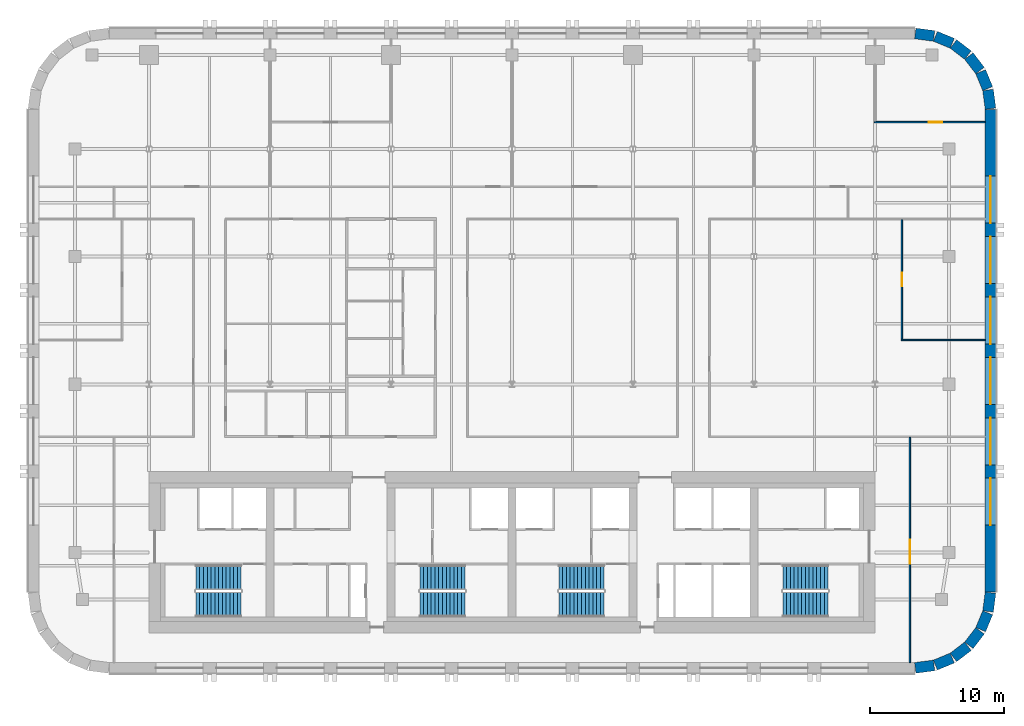
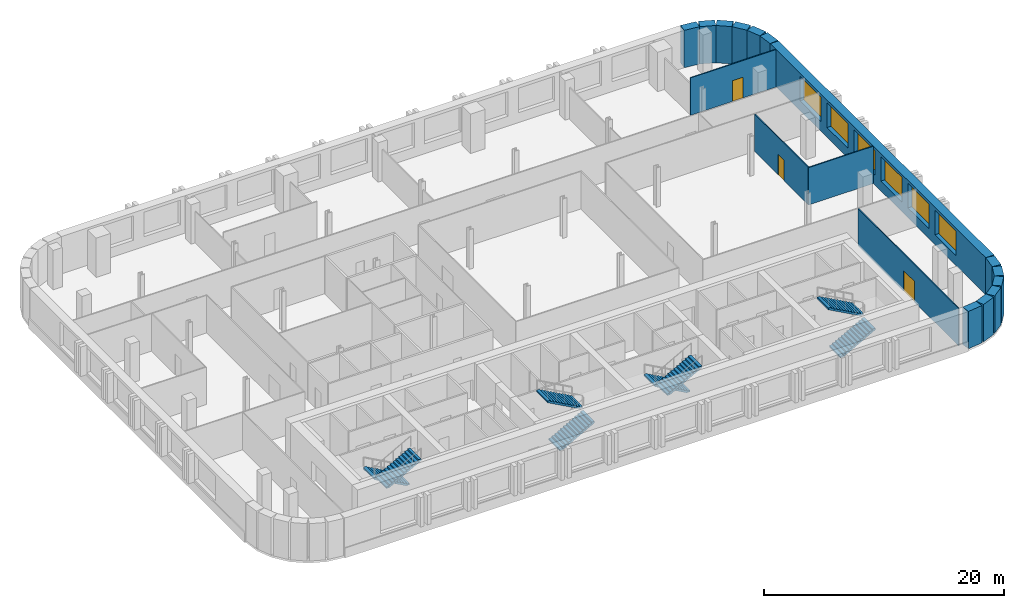
# One storey, part 8 of 10: 17 walls, 8 stair flights, 6 windows, 3 doors, 9 openings, 4 elements without a shape of their own.
"""IFC4 building model written with IfcOpenShell, lengths in metres."""

from ifc_helpers import new_model, si_unit, direction, frame, frame_2d, origin, place, context, subcontext, project, spatial, polyline, rectangle, outline, extrude, material, layer, layer_set, type_object, element, fill, aggregate, save


model = new_model("IFC4")

# Units and contexts
model_context = context("Model", 3, precision=1e-05, world=origin(), true_north=direction((0.0, 1.0)))
body_context = subcontext(model_context, "Body", "Model", "MODEL_VIEW")
ifc_project = project(units=[si_unit("LENGTHUNIT", "METRE"), si_unit("AREAUNIT", "SQUARE_METRE"), si_unit("VOLUMEUNIT", "CUBIC_METRE"), si_unit("PLANEANGLEUNIT", "RADIAN"), si_unit("MASSUNIT", "GRAM", prefix="KILO")], contexts=[model_context])

# Site, building, storey
site_placement = place(None, origin())
site = spatial("IfcSite", under=ifc_project, at=site_placement, CompositionType="ELEMENT")
building_placement = place(site_placement, origin())
building = spatial("IfcBuilding", under=site, at=building_placement, Name="Zellij Exchange Tower", CompositionType="ELEMENT")
storey_placement = place(building_placement, frame((0.0, 0.0, 168.5)))
storey = spatial("IfcBuildingStorey", under=building, at=storey_placement, Name="L38", CompositionType="ELEMENT", Elevation=168.5)

# Walls
ifc_material_1 = material(Name="Precast concrete C40/50", Category="concrete")
ifc_layer_1 = layer(ifc_material_1, 0.800048828125)
ifc_layer_set_1 = layer_set([ifc_layer_1], Name="Precast concrete C40/50")
wall_type_1 = type_object("IfcWallType", Name="ENV-EW1 Precast stone-piered wall 800", PredefinedType="SOLIDWALL", material=ifc_layer_set_1)
wall_1_placement = place(storey_placement, frame((29.999755859375, -16.5966796875, 0.0), z_axis=(0.0, 0.0, 1.0), x_axis=(0.99144603414, 0.130517283865, 0.0)))
element("IfcWall", 1, at=wall_1_placement, inside=storey, type_object=wall_type_1, Name="fac.L38.01", PredefinedType="SOLIDWALL", context=body_context, shape_type="SweptSolid", body=[
    extrude(rectangle(XDim=1.408447265625, YDim=0.800048828125, at=frame_2d((0.7041015625, 0.0))), origin(), (0.0, 0.0, 1.0), 3.800048828125),
])
wall_2_placement = place(storey_placement, frame((31.497314453125, -16.3857421875, 0.0), z_axis=(0.0, 0.0, 1.0), x_axis=(0.923847774587, 0.38276009378, 0.0)))
element("IfcWall", 2, at=wall_2_placement, inside=storey, type_object=wall_type_1, Name="fac.L38.02", PredefinedType="SOLIDWALL", context=body_context, shape_type="SweptSolid", body=[
    extrude(rectangle(XDim=1.35546875, YDim=0.800048828125, at=frame_2d((0.677734375, 0.0))), origin(), (0.0, 0.0, 1.0), 3.800048828125),
])
for number, where, z_axis, x_axis, name in (
    (3, (32.840087890625, -15.814697265625, 0.0), (0.0, 0.0, 1.0), (0.793272915452, 0.608866226366, 0.0), "fac.L38.03"),
    (4, (33.9892578125, -14.91552734375, 0.0), (0.0, 0.0, 1.0), (0.608866226366, 0.793272915452, 0.0), "fac.L38.04"),
):
    element("IfcWall", number, at=place(storey_placement, frame(where, z_axis=z_axis, x_axis=x_axis)), inside=storey, type_object=wall_type_1, Name=name, PredefinedType="SOLIDWALL", context=body_context, shape_type="SweptSolid", body=[
        extrude(rectangle(XDim=1.355712890625, YDim=0.800048828125, at=frame_2d((0.677734375, 0.0))), origin(), (0.0, 0.0, 1.0), 3.800048828125),
    ])
wall_3_placement = place(storey_placement, frame((34.866943359375, -13.74951171875, 0.0), z_axis=(0.0, 0.0, 1.0), x_axis=(0.38276009378, 0.923847774587, 0.0)))
element("IfcWall", 5, at=wall_3_placement, inside=storey, type_object=wall_type_1, Name="fac.L38.05", PredefinedType="SOLIDWALL", context=body_context, shape_type="SweptSolid", body=[
    extrude(rectangle(XDim=1.35546875, YDim=0.800048828125, at=frame_2d((0.677734375, 0.0))), origin(), (0.0, 0.0, 1.0), 3.800048828125),
])
wall_4_placement = place(storey_placement, frame((35.412841796875, -12.396240234375, 0.0), z_axis=(0.0, 0.0, 1.0), x_axis=(0.130517283865, 0.99144603414, 0.0)))
element("IfcWall", 6, at=wall_4_placement, inside=storey, type_object=wall_type_1, Name="fac.L38.06", PredefinedType="SOLIDWALL", context=body_context, shape_type="SweptSolid", body=[
    extrude(rectangle(XDim=1.408447265625, YDim=0.800048828125, at=frame_2d((0.7041015625, 0.0))), origin(), (0.0, 0.0, 1.0), 3.800048828125),
])

# Wall, openings, windows
wall_5_placement = place(storey_placement, frame((35.60009765625, -10.947509765625, 0.0), z_axis=(0.0, 0.0, 1.0), x_axis=(0.0, 1.0, 0.0)))
wall_5 = element("IfcWall", 7, at=wall_5_placement, inside=storey, type_object=wall_type_1, Name="fac.L38.07", PredefinedType="SOLIDWALL", context=body_context, shape_type="SweptSolid", body=[
    extrude(rectangle(XDim=35.89501953125, YDim=0.800048828125, at=frame_2d((17.947509765625, 0.0))), origin(), (0.0, 0.0, 1.0), 3.800048828125),
])
opening_1_placement = place(wall_5_placement, frame((4.9638671875, 0.0, 1.0)))
opening_1 = element("IfcOpeningElement", 8, at=opening_1_placement, cuts=wall_5, Name="Opening FZ3.13", PredefinedType="OPENING", context=body_context, shape_type="SweptSolid", body=[
    extrude(rectangle(XDim=3.5, YDim=2.5, at=frame_2d((1.75, 1.25))), frame((0.0, 0.412109375, 0.0), z_axis=(0.0, -1.0, 0.0), x_axis=(1.0, 0.0, 0.0)), (0.0, 0.0, 1.0), 0.823974609375),
])
opening_2_placement = place(wall_5_placement, frame((9.45751953125, 0.0, 1.0)))
opening_2 = element("IfcOpeningElement", 9, at=opening_2_placement, cuts=wall_5, Name="Opening FZ3.14", PredefinedType="OPENING", context=body_context, shape_type="SweptSolid", body=[
    extrude(rectangle(XDim=3.5, YDim=2.5, at=frame_2d((1.75, 1.25))), frame((0.0, 0.412109375, 0.0), z_axis=(0.0, -1.0, 0.0), x_axis=(1.0, 0.0, 0.0)), (0.0, 0.0, 1.0), 0.823974609375),
])
opening_3_placement = place(wall_5_placement, frame((13.950927734375, 0.0, 1.0)))
opening_3 = element("IfcOpeningElement", 10, at=opening_3_placement, cuts=wall_5, Name="Opening FZ3.15", PredefinedType="OPENING", context=body_context, shape_type="SweptSolid", body=[
    extrude(rectangle(XDim=3.5, YDim=2.5, at=frame_2d((1.75, 1.25))), frame((0.0, 0.412109375, 0.0), z_axis=(0.0, -1.0, 0.0), x_axis=(1.0, 0.0, 0.0)), (0.0, 0.0, 1.0), 0.823974609375),
])
opening_4_placement = place(wall_5_placement, frame((18.4443359375, 0.0, 1.0)))
opening_4 = element("IfcOpeningElement", 11, at=opening_4_placement, cuts=wall_5, Name="Opening FZ3.16", PredefinedType="OPENING", context=body_context, shape_type="SweptSolid", body=[
    extrude(rectangle(XDim=3.5, YDim=2.5, at=frame_2d((1.75, 1.25))), frame((0.0, 0.412109375, 0.0), z_axis=(0.0, -1.0, 0.0), x_axis=(1.0, 0.0, 0.0)), (0.0, 0.0, 1.0), 0.823974609375),
])
opening_5_placement = place(wall_5_placement, frame((22.937744140625, 0.0, 1.0)))
opening_5 = element("IfcOpeningElement", 12, at=opening_5_placement, cuts=wall_5, Name="Opening FZ3.17", PredefinedType="OPENING", context=body_context, shape_type="SweptSolid", body=[
    extrude(rectangle(XDim=3.5, YDim=2.5, at=frame_2d((1.75, 1.25))), frame((0.0, 0.412109375, 0.0), z_axis=(0.0, -1.0, 0.0), x_axis=(1.0, 0.0, 0.0)), (0.0, 0.0, 1.0), 0.823974609375),
])
opening_6_placement = place(wall_5_placement, frame((27.43115234375, 0.0, 1.0)))
opening_6 = element("IfcOpeningElement", 13, at=opening_6_placement, cuts=wall_5, Name="Opening FZ3.18", PredefinedType="OPENING", context=body_context, shape_type="SweptSolid", body=[
    extrude(rectangle(XDim=3.5, YDim=2.5, at=frame_2d((1.75, 1.25))), frame((0.0, 0.412109375, 0.0), z_axis=(0.0, -1.0, 0.0), x_axis=(1.0, 0.0, 0.0)), (0.0, 0.0, 1.0), 0.823974609375),
])
ifc_material_2 = material(Name="Aluminium frame with insulating glass", Category="aluminium")
window_type = type_object("IfcWindowType", Name="ENV-W1 Window 3500x2500", PartitioningType="SINGLE_PANEL", PredefinedType="WINDOW", material=ifc_material_2)
window_1_placement = place(opening_1_placement, origin())
window_1 = element("IfcWindow", 14, at=window_1_placement, inside=storey, type_object=window_type, Name="Window FZ3.13", OverallHeight=2.5, OverallWidth=3.5, PartitioningType="SINGLE_PANEL", PredefinedType="WINDOW", context=body_context, shape_type="SweptSolid", body=[
    extrude(rectangle(XDim=3.5, YDim=2.5, at=frame_2d((1.75, 1.25))), frame((0.0, 0.030029296875, 0.0), z_axis=(0.0, -1.0, 0.0), x_axis=(1.0, 0.0, 0.0)), (0.0, 0.0, 1.0), 0.06005859375),
])
fill(opening_1, window_1)
window_2_placement = place(opening_2_placement, origin())
window_2 = element("IfcWindow", 15, at=window_2_placement, inside=storey, type_object=window_type, Name="Window FZ3.14", OverallHeight=2.5, OverallWidth=3.5, PartitioningType="SINGLE_PANEL", PredefinedType="WINDOW", context=body_context, shape_type="SweptSolid", body=[
    extrude(rectangle(XDim=3.5, YDim=2.5, at=frame_2d((1.75, 1.25))), frame((0.0, 0.030029296875, 0.0), z_axis=(0.0, -1.0, 0.0), x_axis=(1.0, 0.0, 0.0)), (0.0, 0.0, 1.0), 0.06005859375),
])
fill(opening_2, window_2)
window_3_placement = place(opening_3_placement, origin())
window_3 = element("IfcWindow", 16, at=window_3_placement, inside=storey, type_object=window_type, Name="Window FZ3.15", OverallHeight=2.5, OverallWidth=3.5, PartitioningType="SINGLE_PANEL", PredefinedType="WINDOW", context=body_context, shape_type="SweptSolid", body=[
    extrude(rectangle(XDim=3.5, YDim=2.5, at=frame_2d((1.75, 1.25))), frame((0.0, 0.030029296875, 0.0), z_axis=(0.0, -1.0, 0.0), x_axis=(1.0, 0.0, 0.0)), (0.0, 0.0, 1.0), 0.06005859375),
])
fill(opening_3, window_3)
window_4_placement = place(opening_4_placement, origin())
window_4 = element("IfcWindow", 17, at=window_4_placement, inside=storey, type_object=window_type, Name="Window FZ3.16", OverallHeight=2.5, OverallWidth=3.5, PartitioningType="SINGLE_PANEL", PredefinedType="WINDOW", context=body_context, shape_type="SweptSolid", body=[
    extrude(rectangle(XDim=3.5, YDim=2.5, at=frame_2d((1.75, 1.25))), frame((0.0, 0.030029296875, 0.0), z_axis=(0.0, -1.0, 0.0), x_axis=(1.0, 0.0, 0.0)), (0.0, 0.0, 1.0), 0.06005859375),
])
fill(opening_4, window_4)
window_5_placement = place(opening_5_placement, origin())
window_5 = element("IfcWindow", 18, at=window_5_placement, inside=storey, type_object=window_type, Name="Window FZ3.17", OverallHeight=2.5, OverallWidth=3.5, PartitioningType="SINGLE_PANEL", PredefinedType="WINDOW", context=body_context, shape_type="SweptSolid", body=[
    extrude(rectangle(XDim=3.5, YDim=2.5, at=frame_2d((1.75, 1.25))), frame((0.0, 0.030029296875, 0.0), z_axis=(0.0, -1.0, 0.0), x_axis=(1.0, 0.0, 0.0)), (0.0, 0.0, 1.0), 0.06005859375),
])
fill(opening_5, window_5)
window_6_placement = place(opening_6_placement, origin())
window_6 = element("IfcWindow", 19, at=window_6_placement, inside=storey, type_object=window_type, Name="Window FZ3.18", OverallHeight=2.5, OverallWidth=3.5, PartitioningType="SINGLE_PANEL", PredefinedType="WINDOW", context=body_context, shape_type="SweptSolid", body=[
    extrude(rectangle(XDim=3.5, YDim=2.5, at=frame_2d((1.75, 1.25))), frame((0.0, 0.030029296875, 0.0), z_axis=(0.0, -1.0, 0.0), x_axis=(1.0, 0.0, 0.0)), (0.0, 0.0, 1.0), 0.06005859375),
])
fill(opening_6, window_6)

# Walls
wall_6_placement = place(storey_placement, frame((35.5966796875, 24.999755859375, 0.0), z_axis=(0.0, 0.0, 1.0), x_axis=(-0.130517283865, 0.99144603414, 0.0)))
element("IfcWall", 20, at=wall_6_placement, inside=storey, type_object=wall_type_1, Name="fac.L38.08", PredefinedType="SOLIDWALL", context=body_context, shape_type="SweptSolid", body=[
    extrude(rectangle(XDim=1.408447265625, YDim=0.800048828125, at=frame_2d((0.7041015625, 0.0))), origin(), (0.0, 0.0, 1.0), 3.800048828125),
])
wall_7_placement = place(storey_placement, frame((35.3857421875, 26.497314453125, 0.0), z_axis=(0.0, 0.0, 1.0), x_axis=(-0.38276009378, 0.923847774587, 0.0)))
element("IfcWall", 21, at=wall_7_placement, inside=storey, type_object=wall_type_1, Name="fac.L38.09", PredefinedType="SOLIDWALL", context=body_context, shape_type="SweptSolid", body=[
    extrude(rectangle(XDim=1.35546875, YDim=0.800048828125, at=frame_2d((0.677734375, 0.0))), origin(), (0.0, 0.0, 1.0), 3.800048828125),
])
for number, where, z_axis, x_axis, name in (
    (22, (34.814697265625, 27.840087890625, 0.0), (0.0, 0.0, 1.0), (-0.608866226366, 0.793272915452, 0.0), "fac.L38.10"),
    (23, (33.91552734375, 28.9892578125, 0.0), (0.0, 0.0, 1.0), (-0.793272915452, 0.608866226366, 0.0), "fac.L38.11"),
):
    element("IfcWall", number, at=place(storey_placement, frame(where, z_axis=z_axis, x_axis=x_axis)), inside=storey, type_object=wall_type_1, Name=name, PredefinedType="SOLIDWALL", context=body_context, shape_type="SweptSolid", body=[
        extrude(rectangle(XDim=1.355712890625, YDim=0.800048828125, at=frame_2d((0.677734375, 0.0))), origin(), (0.0, 0.0, 1.0), 3.800048828125),
    ])
wall_8_placement = place(storey_placement, frame((32.74951171875, 29.866943359375, 0.0), z_axis=(0.0, 0.0, 1.0), x_axis=(-0.923847774587, 0.38276009378, 0.0)))
element("IfcWall", 24, at=wall_8_placement, inside=storey, type_object=wall_type_1, Name="fac.L38.12", PredefinedType="SOLIDWALL", context=body_context, shape_type="SweptSolid", body=[
    extrude(rectangle(XDim=1.35546875, YDim=0.800048828125, at=frame_2d((0.677734375, 0.0))), origin(), (0.0, 0.0, 1.0), 3.800048828125),
])
wall_9_placement = place(storey_placement, frame((31.396240234375, 30.412841796875, 0.0), z_axis=(0.0, 0.0, 1.0), x_axis=(-0.99144603414, 0.130517283865, 0.0)))
element("IfcWall", 25, at=wall_9_placement, inside=storey, type_object=wall_type_1, Name="fac.L38.13", PredefinedType="SOLIDWALL", context=body_context, shape_type="SweptSolid", body=[
    extrude(rectangle(XDim=1.408447265625, YDim=0.800048828125, at=frame_2d((0.7041015625, 0.0))), origin(), (0.0, 0.0, 1.0), 3.800048828125),
])

# Wall, opening, door
ifc_material_3 = material(Name="Gypsum board partition on steel studs", Category="steel")
ifc_layer_2 = layer(ifc_material_3, 0.10009765625)
ifc_layer_set_2 = layer_set([ifc_layer_2], Name="Gypsum board partition on steel studs")
wall_type_2 = type_object("IfcWallType", Name="FIT-PARTITION-100", PredefinedType="PARTITIONING", material=ifc_layer_set_2)
wall_10_placement = place(storey_placement, frame((29.60009765625, -16.199951171875, 0.0), z_axis=(0.0, 0.0, 1.0), x_axis=(0.0, 1.0, 0.0)))
wall_10 = element("IfcWall", 26, at=wall_10_placement, inside=storey, type_object=wall_type_2, Name="FIT-PARTITION-100 002", PredefinedType="PARTITIONING", context=body_context, shape_type="SweptSolid", body=[
    extrude(rectangle(XDim=16.75, YDim=0.10009765625, at=frame_2d((8.375, 0.0))), origin(), (0.0, 0.0, 1.0), 3.800048828125),
])
opening_7_placement = place(wall_10_placement, frame((7.35009765625, 0.0, 0.0)))
opening_7 = element("IfcOpeningElement", 27, at=opening_7_placement, cuts=wall_10, Name="Opening O3A.02", PredefinedType="OPENING", context=body_context, shape_type="SweptSolid", body=[
    extrude(rectangle(XDim=1.800048828125, YDim=2.10009765625, at=frame_2d((0.89990234375, 1.050048828125))), frame((0.0, 0.06201171875, 0.0), z_axis=(0.0, -1.0, 0.0), x_axis=(1.0, 0.0, 0.0)), (0.0, 0.0, 1.0), 0.1240234375),
])
ifc_material_4 = material(Name="Timber door set", Category="wood")
door_type_1 = type_object("IfcDoorType", Name="FIT-D3-DOUBLE-1800X2100", OperationType="DOUBLE_DOOR_SINGLE_SWING", PredefinedType="DOOR", material=ifc_material_4)
door_1_placement = place(opening_7_placement, origin())
door_1 = element("IfcDoor", 28, at=door_1_placement, inside=storey, type_object=door_type_1, Name="Door O3A.02", OperationType="DOUBLE_DOOR_SINGLE_SWING", OverallHeight=2.10009765625, OverallWidth=1.800048828125, PredefinedType="DOOR", context=body_context, shape_type="SweptSolid", body=[
    extrude(rectangle(XDim=1.800048828125, YDim=2.10009765625, at=frame_2d((0.89990234375, 1.050048828125))), frame((0.0, 0.02490234375, 0.0), z_axis=(0.0, -1.0, 0.0), x_axis=(1.0, 0.0, 0.0)), (0.0, 0.0, 1.0), 0.050048828125),
])
fill(opening_7, door_1)

# Wall
wall_11_placement = place(storey_placement, frame((28.949951171875, 7.800048828125, 0.0), z_axis=(0.0, 0.0, 1.0), x_axis=(1.0, 0.0, 0.0)))
element("IfcWall", 29, at=wall_11_placement, inside=storey, type_object=wall_type_2, Name="FIT-PARTITION-100 026", PredefinedType="PARTITIONING", context=body_context, shape_type="SweptSolid", body=[
    extrude(rectangle(XDim=6.25, YDim=0.10009765625, at=frame_2d((3.125, 0.0))), origin(), (0.0, 0.0, 1.0), 3.800048828125),
])

# Wall, opening, door
wall_12_placement = place(storey_placement, frame((29.0, 7.85009765625, 0.0), z_axis=(0.0, 0.0, 1.0), x_axis=(0.0, 1.0, 0.0)))
wall_12 = element("IfcWall", 30, at=wall_12_placement, inside=storey, type_object=wall_type_2, Name="FIT-PARTITION-100 027", PredefinedType="PARTITIONING", context=body_context, shape_type="SweptSolid", body=[
    extrude(rectangle(XDim=8.89990234375, YDim=0.10009765625, at=frame_2d((4.449951171875, 0.0))), origin(), (0.0, 0.0, 1.0), 3.800048828125),
])
opening_8_placement = place(wall_12_placement, frame((3.949951171875, 0.0, 0.0)))
opening_8 = element("IfcOpeningElement", 31, at=opening_8_placement, cuts=wall_12, Name="Opening O3A.16", PredefinedType="OPENING", context=body_context, shape_type="SweptSolid", body=[
    extrude(rectangle(XDim=1.0, YDim=2.10009765625, at=frame_2d((0.5, 1.050048828125))), frame((0.0, 0.06201171875, 0.0), z_axis=(0.0, -1.0, 0.0), x_axis=(1.0, 0.0, 0.0)), (0.0, 0.0, 1.0), 0.1240234375),
])
door_type_2 = type_object("IfcDoorType", Name="FIT-D2-WIDE-1000X2100", OperationType="SINGLE_SWING_LEFT", PredefinedType="DOOR", material=ifc_material_4)
door_2_placement = place(opening_8_placement, origin())
door_2 = element("IfcDoor", 32, at=door_2_placement, inside=storey, type_object=door_type_2, Name="Door O3A.16", OperationType="SINGLE_SWING_RIGHT", OverallHeight=2.10009765625, OverallWidth=1.0, PredefinedType="DOOR", context=body_context, shape_type="SweptSolid", body=[
    extrude(rectangle(XDim=1.0, YDim=2.10009765625, at=frame_2d((0.5, 1.050048828125))), frame((0.0, 0.02490234375, 0.0), z_axis=(0.0, -1.0, 0.0), x_axis=(1.0, 0.0, 0.0)), (0.0, 0.0, 1.0), 0.050048828125),
])
fill(opening_8, door_2)

wall_13_placement = place(storey_placement, frame((26.949951171875, 24.0, 0.0), z_axis=(0.0, 0.0, 1.0), x_axis=(1.0, 0.0, 0.0)))
wall_13 = element("IfcWall", 33, at=wall_13_placement, inside=storey, type_object=wall_type_2, Name="FIT-PARTITION-100 054", PredefinedType="PARTITIONING", context=body_context, shape_type="SweptSolid", body=[
    extrude(rectangle(XDim=8.25, YDim=0.10009765625, at=frame_2d((4.125, 0.0))), origin(), (0.0, 0.0, 1.0), 3.800048828125),
])
opening_9_placement = place(wall_13_placement, frame((4.050048828125, 0.0, 0.0)))
opening_9 = element("IfcOpeningElement", 34, at=opening_9_placement, cuts=wall_13, Name="Opening O3A.24", PredefinedType="OPENING", context=body_context, shape_type="SweptSolid", body=[
    extrude(rectangle(XDim=1.0, YDim=2.10009765625, at=frame_2d((0.5, 1.050048828125))), frame((0.0, 0.06201171875, 0.0), z_axis=(0.0, -1.0, 0.0), x_axis=(1.0, 0.0, 0.0)), (0.0, 0.0, 1.0), 0.1240234375),
])
door_3_placement = place(opening_9_placement, origin())
door_3 = element("IfcDoor", 35, at=door_3_placement, inside=storey, type_object=door_type_2, Name="Door O3A.24", OperationType="SINGLE_SWING_LEFT", OverallHeight=2.10009765625, OverallWidth=1.0, PredefinedType="DOOR", context=body_context, shape_type="SweptSolid", body=[
    extrude(rectangle(XDim=1.0, YDim=2.10009765625, at=frame_2d((0.5, 1.050048828125))), frame((0.0, 0.02490234375, 0.0), z_axis=(0.0, -1.0, 0.0), x_axis=(1.0, 0.0, 0.0)), (0.0, 0.0, 1.0), 0.050048828125),
])
fill(opening_9, door_3)

# Stair, stair flights
ifc_material_5 = material(Name="Concrete C40/50", Category="concrete")
stair_type = type_object("IfcStairType", Name="CORE-ST exit stair 1850 wide", PredefinedType="HALF_TURN_STAIR", material=ifc_material_5)
stair_1_placement = place(storey_placement, origin())
stair_1 = element("IfcStair", 36, at=stair_1_placement, inside=storey, type_object=stair_type, Name="L38 exit stair ST1", PredefinedType="HALF_TURN_STAIR")
stair_flight_type = type_object("IfcStairFlightType", Name="CORE-SF flight 1850 riser 153.8 going 280", PredefinedType="STRAIGHT", material=ifc_material_5)
stair_flight_1_placement = place(storey_placement, frame((-20.14990234375, -9.875, 0.0), z_axis=(0.0, 0.0, 1.0), x_axis=(-1.0, 0.0, 0.0)))
stair_flight_1 = element("IfcStairFlight", 37, at=stair_flight_1_placement, type_object=stair_flight_type, Name="ST1 flight 1", NumberOfRisers=13, NumberOfTreads=12, PredefinedType="STRAIGHT", RiserHeight=0.153846154, TreadLength=0.28, context=body_context, shape_type="SweptSolid", body=[
    extrude(outline(polyline([(0.0, 0.0), (0.0, 0.15380859375), (0.280029296875, 0.15380859375), (0.280029296875, 0.3076171875), (0.56005859375, 0.3076171875), (0.56005859375, 0.46142578125), (0.840087890625, 0.46142578125), (0.840087890625, 0.615478515625), (1.1201171875, 0.615478515625), (1.1201171875, 0.769287109375), (1.39990234375, 0.769287109375), (1.39990234375, 0.923095703125), (1.679931640625, 0.923095703125), (1.679931640625, 1.076904296875), (1.9599609375, 1.076904296875), (1.9599609375, 1.230712890625), (2.239990234375, 1.230712890625), (2.239990234375, 1.384521484375), (2.52001953125, 1.384521484375), (2.52001953125, 1.53857421875), (2.800048828125, 1.53857421875), (2.800048828125, 1.6923828125), (3.080078125, 1.6923828125), (3.080078125, 1.84619140625), (3.360107421875, 1.84619140625), (3.360107421875, 2.0), (3.360107421875, 1.675048828125), (0.311279296875, 0.0), (0.0, 0.0)])), frame((0.0, 0.925048828125, 0.0), z_axis=(0.0, -1.0, 0.0), x_axis=(1.0, 0.0, 0.0)), (0.0, 0.0, 1.0), 1.85009765625),
])
stair_flight_2_placement = place(storey_placement, frame((-23.510009765625, -11.875, 2.0), z_axis=(0.0, 0.0, 1.0), x_axis=(1.0, 0.0, 0.0)))
stair_flight_2 = element("IfcStairFlight", 38, at=stair_flight_2_placement, type_object=stair_flight_type, Name="ST1 flight 2", NumberOfRisers=13, NumberOfTreads=12, PredefinedType="STRAIGHT", RiserHeight=0.153846154, TreadLength=0.28, context=body_context, shape_type="SweptSolid", body=[
    extrude(outline(polyline([(0.0, 0.0), (0.0, 0.15380859375), (0.280029296875, 0.15380859375), (0.280029296875, 0.3076171875), (0.56005859375, 0.3076171875), (0.56005859375, 0.46142578125), (0.840087890625, 0.46142578125), (0.840087890625, 0.615478515625), (1.1201171875, 0.615478515625), (1.1201171875, 0.769287109375), (1.39990234375, 0.769287109375), (1.39990234375, 0.923095703125), (1.679931640625, 0.923095703125), (1.679931640625, 1.076904296875), (1.9599609375, 1.076904296875), (1.9599609375, 1.230712890625), (2.239990234375, 1.230712890625), (2.239990234375, 1.384521484375), (2.52001953125, 1.384521484375), (2.52001953125, 1.53857421875), (2.800048828125, 1.53857421875), (2.800048828125, 1.6923828125), (3.080078125, 1.6923828125), (3.080078125, 1.84619140625), (3.360107421875, 1.84619140625), (3.360107421875, 2.0), (3.360107421875, 1.675048828125), (0.311279296875, 0.0), (0.0, 0.0)])), frame((0.0, 0.925048828125, 0.0), z_axis=(0.0, -1.0, 0.0), x_axis=(1.0, 0.0, 0.0)), (0.0, 0.0, 1.0), 1.85009765625),
])
aggregate(stair_1, [stair_flight_1, stair_flight_2])

stair_2_placement = place(storey_placement, origin())
stair_2 = element("IfcStair", 39, at=stair_2_placement, inside=storey, type_object=stair_type, Name="L38 exit stair ST2", PredefinedType="HALF_TURN_STAIR")
stair_flight_3_placement = place(storey_placement, frame((-6.85009765625, -11.875, 0.0), z_axis=(0.0, 0.0, 1.0), x_axis=(1.0, 0.0, 0.0)))
stair_flight_3 = element("IfcStairFlight", 40, at=stair_flight_3_placement, type_object=stair_flight_type, Name="ST2 flight 1", NumberOfRisers=13, NumberOfTreads=12, PredefinedType="STRAIGHT", RiserHeight=0.153846154, TreadLength=0.28, context=body_context, shape_type="SweptSolid", body=[
    extrude(outline(polyline([(0.0, 0.0), (0.0, 0.15380859375), (0.280029296875, 0.15380859375), (0.280029296875, 0.3076171875), (0.56005859375, 0.3076171875), (0.56005859375, 0.46142578125), (0.840087890625, 0.46142578125), (0.840087890625, 0.615478515625), (1.1201171875, 0.615478515625), (1.1201171875, 0.769287109375), (1.39990234375, 0.769287109375), (1.39990234375, 0.923095703125), (1.679931640625, 0.923095703125), (1.679931640625, 1.076904296875), (1.9599609375, 1.076904296875), (1.9599609375, 1.230712890625), (2.239990234375, 1.230712890625), (2.239990234375, 1.384521484375), (2.52001953125, 1.384521484375), (2.52001953125, 1.53857421875), (2.800048828125, 1.53857421875), (2.800048828125, 1.6923828125), (3.080078125, 1.6923828125), (3.080078125, 1.84619140625), (3.360107421875, 1.84619140625), (3.360107421875, 2.0), (3.360107421875, 1.675048828125), (0.311279296875, 0.0), (0.0, 0.0)])), frame((0.0, 0.925048828125, 0.0), z_axis=(0.0, -1.0, 0.0), x_axis=(1.0, 0.0, 0.0)), (0.0, 0.0, 1.0), 1.85009765625),
])
stair_flight_4_placement = place(storey_placement, frame((-3.489990234375, -9.875, 2.0), z_axis=(0.0, 0.0, 1.0), x_axis=(-1.0, 0.0, 0.0)))
stair_flight_4 = element("IfcStairFlight", 41, at=stair_flight_4_placement, type_object=stair_flight_type, Name="ST2 flight 2", NumberOfRisers=13, NumberOfTreads=12, PredefinedType="STRAIGHT", RiserHeight=0.153846154, TreadLength=0.28, context=body_context, shape_type="SweptSolid", body=[
    extrude(outline(polyline([(0.0, 0.0), (0.0, 0.15380859375), (0.280029296875, 0.15380859375), (0.280029296875, 0.3076171875), (0.56005859375, 0.3076171875), (0.56005859375, 0.46142578125), (0.840087890625, 0.46142578125), (0.840087890625, 0.615478515625), (1.1201171875, 0.615478515625), (1.1201171875, 0.769287109375), (1.39990234375, 0.769287109375), (1.39990234375, 0.923095703125), (1.679931640625, 0.923095703125), (1.679931640625, 1.076904296875), (1.9599609375, 1.076904296875), (1.9599609375, 1.230712890625), (2.239990234375, 1.230712890625), (2.239990234375, 1.384521484375), (2.52001953125, 1.384521484375), (2.52001953125, 1.53857421875), (2.800048828125, 1.53857421875), (2.800048828125, 1.6923828125), (3.080078125, 1.6923828125), (3.080078125, 1.84619140625), (3.360107421875, 1.84619140625), (3.360107421875, 2.0), (3.360107421875, 1.675048828125), (0.311279296875, 0.0), (0.0, 0.0)])), frame((0.0, 0.925048828125, 0.0), z_axis=(0.0, -1.0, 0.0), x_axis=(1.0, 0.0, 0.0)), (0.0, 0.0, 1.0), 1.85009765625),
])
aggregate(stair_2, [stair_flight_3, stair_flight_4])

stair_3_placement = place(storey_placement, origin())
stair_3 = element("IfcStair", 42, at=stair_3_placement, inside=storey, type_object=stair_type, Name="L38 exit stair ST3", PredefinedType="HALF_TURN_STAIR")
stair_flight_5_placement = place(storey_placement, frame((6.85009765625, -9.875, 0.0), z_axis=(0.0, 0.0, 1.0), x_axis=(-1.0, 0.0, 0.0)))
stair_flight_5 = element("IfcStairFlight", 43, at=stair_flight_5_placement, type_object=stair_flight_type, Name="ST3 flight 1", NumberOfRisers=13, NumberOfTreads=12, PredefinedType="STRAIGHT", RiserHeight=0.153846154, TreadLength=0.28, context=body_context, shape_type="SweptSolid", body=[
    extrude(outline(polyline([(0.0, 0.0), (0.0, 0.15380859375), (0.280029296875, 0.15380859375), (0.280029296875, 0.3076171875), (0.56005859375, 0.3076171875), (0.56005859375, 0.46142578125), (0.840087890625, 0.46142578125), (0.840087890625, 0.615478515625), (1.1201171875, 0.615478515625), (1.1201171875, 0.769287109375), (1.39990234375, 0.769287109375), (1.39990234375, 0.923095703125), (1.679931640625, 0.923095703125), (1.679931640625, 1.076904296875), (1.9599609375, 1.076904296875), (1.9599609375, 1.230712890625), (2.239990234375, 1.230712890625), (2.239990234375, 1.384521484375), (2.52001953125, 1.384521484375), (2.52001953125, 1.53857421875), (2.800048828125, 1.53857421875), (2.800048828125, 1.6923828125), (3.080078125, 1.6923828125), (3.080078125, 1.84619140625), (3.360107421875, 1.84619140625), (3.360107421875, 2.0), (3.360107421875, 1.675048828125), (0.311279296875, 0.0), (0.0, 0.0)])), frame((0.0, 0.925048828125, 0.0), z_axis=(0.0, -1.0, 0.0), x_axis=(1.0, 0.0, 0.0)), (0.0, 0.0, 1.0), 1.85009765625),
])
stair_flight_6_placement = place(storey_placement, frame((3.489990234375, -11.875, 2.0), z_axis=(0.0, 0.0, 1.0), x_axis=(1.0, 0.0, 0.0)))
stair_flight_6 = element("IfcStairFlight", 44, at=stair_flight_6_placement, type_object=stair_flight_type, Name="ST3 flight 2", NumberOfRisers=13, NumberOfTreads=12, PredefinedType="STRAIGHT", RiserHeight=0.153846154, TreadLength=0.28, context=body_context, shape_type="SweptSolid", body=[
    extrude(outline(polyline([(0.0, 0.0), (0.0, 0.15380859375), (0.280029296875, 0.15380859375), (0.280029296875, 0.3076171875), (0.56005859375, 0.3076171875), (0.56005859375, 0.46142578125), (0.840087890625, 0.46142578125), (0.840087890625, 0.615478515625), (1.1201171875, 0.615478515625), (1.1201171875, 0.769287109375), (1.39990234375, 0.769287109375), (1.39990234375, 0.923095703125), (1.679931640625, 0.923095703125), (1.679931640625, 1.076904296875), (1.9599609375, 1.076904296875), (1.9599609375, 1.230712890625), (2.239990234375, 1.230712890625), (2.239990234375, 1.384521484375), (2.52001953125, 1.384521484375), (2.52001953125, 1.53857421875), (2.800048828125, 1.53857421875), (2.800048828125, 1.6923828125), (3.080078125, 1.6923828125), (3.080078125, 1.84619140625), (3.360107421875, 1.84619140625), (3.360107421875, 2.0), (3.360107421875, 1.675048828125), (0.311279296875, 0.0), (0.0, 0.0)])), frame((0.0, 0.925048828125, 0.0), z_axis=(0.0, -1.0, 0.0), x_axis=(1.0, 0.0, 0.0)), (0.0, 0.0, 1.0), 1.85009765625),
])
aggregate(stair_3, [stair_flight_5, stair_flight_6])

stair_4_placement = place(storey_placement, origin())
stair_4 = element("IfcStair", 45, at=stair_4_placement, inside=storey, type_object=stair_type, Name="L38 exit stair ST4", PredefinedType="HALF_TURN_STAIR")
stair_flight_7_placement = place(storey_placement, frame((20.14990234375, -11.875, 0.0), z_axis=(0.0, 0.0, 1.0), x_axis=(1.0, 0.0, 0.0)))
stair_flight_7 = element("IfcStairFlight", 46, at=stair_flight_7_placement, type_object=stair_flight_type, Name="ST4 flight 1", NumberOfRisers=13, NumberOfTreads=12, PredefinedType="STRAIGHT", RiserHeight=0.153846154, TreadLength=0.28, context=body_context, shape_type="SweptSolid", body=[
    extrude(outline(polyline([(0.0, 0.0), (0.0, 0.15380859375), (0.280029296875, 0.15380859375), (0.280029296875, 0.3076171875), (0.56005859375, 0.3076171875), (0.56005859375, 0.46142578125), (0.840087890625, 0.46142578125), (0.840087890625, 0.615478515625), (1.1201171875, 0.615478515625), (1.1201171875, 0.769287109375), (1.39990234375, 0.769287109375), (1.39990234375, 0.923095703125), (1.679931640625, 0.923095703125), (1.679931640625, 1.076904296875), (1.9599609375, 1.076904296875), (1.9599609375, 1.230712890625), (2.239990234375, 1.230712890625), (2.239990234375, 1.384521484375), (2.52001953125, 1.384521484375), (2.52001953125, 1.53857421875), (2.800048828125, 1.53857421875), (2.800048828125, 1.6923828125), (3.080078125, 1.6923828125), (3.080078125, 1.84619140625), (3.360107421875, 1.84619140625), (3.360107421875, 2.0), (3.360107421875, 1.675048828125), (0.311279296875, 0.0), (0.0, 0.0)])), frame((0.0, 0.925048828125, 0.0), z_axis=(0.0, -1.0, 0.0), x_axis=(1.0, 0.0, 0.0)), (0.0, 0.0, 1.0), 1.85009765625),
])
stair_flight_8_placement = place(storey_placement, frame((23.510009765625, -9.875, 2.0), z_axis=(0.0, 0.0, 1.0), x_axis=(-1.0, 0.0, 0.0)))
stair_flight_8 = element("IfcStairFlight", 47, at=stair_flight_8_placement, type_object=stair_flight_type, Name="ST4 flight 2", NumberOfRisers=13, NumberOfTreads=12, PredefinedType="STRAIGHT", RiserHeight=0.153846154, TreadLength=0.28, context=body_context, shape_type="SweptSolid", body=[
    extrude(outline(polyline([(0.0, 0.0), (0.0, 0.15380859375), (0.280029296875, 0.15380859375), (0.280029296875, 0.3076171875), (0.56005859375, 0.3076171875), (0.56005859375, 0.46142578125), (0.840087890625, 0.46142578125), (0.840087890625, 0.615478515625), (1.1201171875, 0.615478515625), (1.1201171875, 0.769287109375), (1.39990234375, 0.769287109375), (1.39990234375, 0.923095703125), (1.679931640625, 0.923095703125), (1.679931640625, 1.076904296875), (1.9599609375, 1.076904296875), (1.9599609375, 1.230712890625), (2.239990234375, 1.230712890625), (2.239990234375, 1.384521484375), (2.52001953125, 1.384521484375), (2.52001953125, 1.53857421875), (2.800048828125, 1.53857421875), (2.800048828125, 1.6923828125), (3.080078125, 1.6923828125), (3.080078125, 1.84619140625), (3.360107421875, 1.84619140625), (3.360107421875, 2.0), (3.360107421875, 1.675048828125), (0.311279296875, 0.0), (0.0, 0.0)])), frame((0.0, 0.925048828125, 0.0), z_axis=(0.0, -1.0, 0.0), x_axis=(1.0, 0.0, 0.0)), (0.0, 0.0, 1.0), 1.85009765625),
])
aggregate(stair_4, [stair_flight_7, stair_flight_8])

save(model, "model.ifc")
